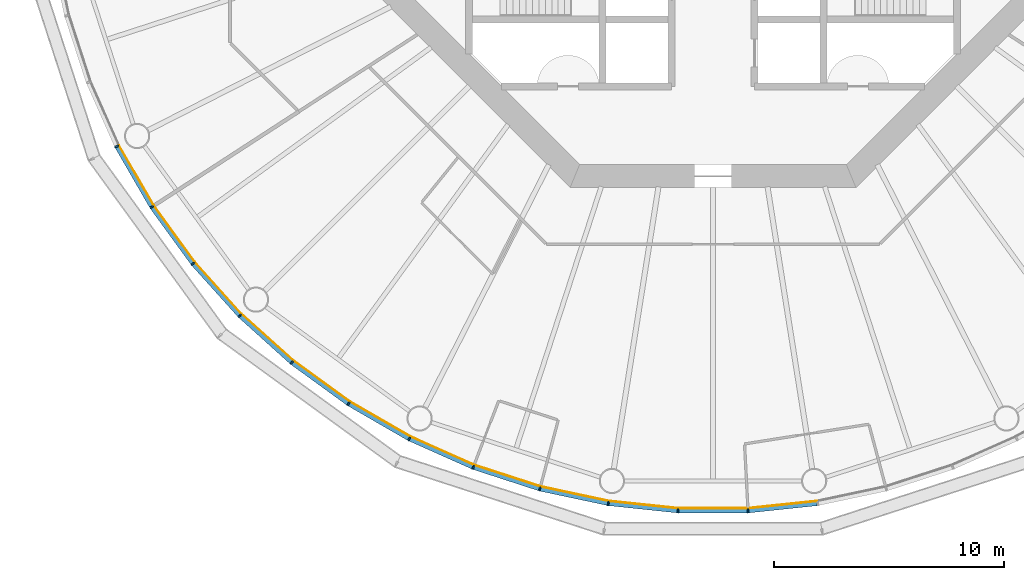
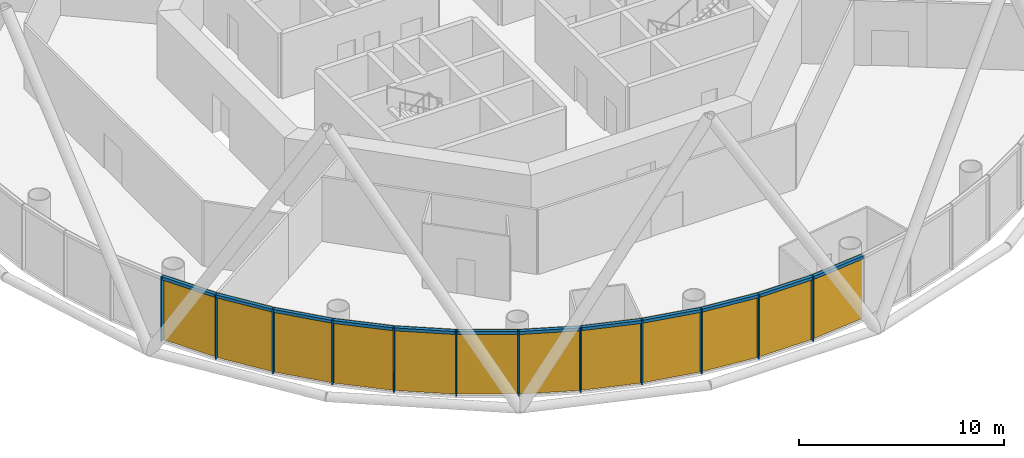
# One storey, part 7 of 13: 24 members, 4 curtain walls.
"""IFC4 building model written with IfcOpenShell, lengths in metres."""

from ifc_helpers import new_model, si_unit, direction, frame, origin, origin_2d, place, context, subcontext, project, spatial, polyline, rectangle, outline, extrude, material, layer, layer_set, material_profile, profile_set, type_object, element, aggregate, save


model = new_model("IFC4")

# Units and contexts
model_context = context("Model", 3, precision=1e-05, world=origin(), true_north=direction((0.0, 1.0)))
body_context = subcontext(model_context, "Body", "Model", "MODEL_VIEW")
ifc_project = project(units=[si_unit("LENGTHUNIT", "METRE"), si_unit("AREAUNIT", "SQUARE_METRE"), si_unit("VOLUMEUNIT", "CUBIC_METRE"), si_unit("PLANEANGLEUNIT", "RADIAN"), si_unit("MASSUNIT", "GRAM", prefix="KILO")], contexts=[model_context])

# Member
ifc_material_1 = material(Name="Anodised aluminium", Category="aluminium")
ifc_material_profile_1 = material_profile(ifc_material_1, rectangle(XDim=0.06494140625, YDim=0.18505859375, at=origin_2d()), Name="Mullion 65 x 185 mm anodised aluminium")
ifc_profile_set_1 = profile_set([ifc_material_profile_1], Name="Anodised aluminium")
member_type_1 = type_object("IfcMemberType", Name="Mullion 65 x 185 mm anodised aluminium", PredefinedType="MULLION", material=ifc_profile_set_1)
site_placement = place(None, origin())
building_placement = place(site_placement, origin())
storey_placement = place(building_placement, frame((0.0, 0.0, 164.0)))
member_1_placement = place(storey_placement, frame((64.078369140625, 66.792236328125, 0.0), z_axis=(0.0, 0.0, 1.0), x_axis=(0.45399049974, -0.891006524188, 0.0)))
member_1 = element("IfcMember", 1, at=member_1_placement, type_object=member_type_1, Name="MULLION L37-33", PredefinedType="MULLION", context=body_context, shape_type="SweptSolid", body=[
    extrude(rectangle(XDim=0.06494140625, YDim=0.18505859375, at=origin_2d()), origin(), (0.0, 0.0, 1.0), 3.85009765625),
])

member_2_placement = place(storey_placement, frame((65.60107421875, 64.155029296875, 0.0), z_axis=(0.0, 0.0, 1.0), x_axis=(0.544639035015, -0.838670567945, 0.0)))
member_2 = element("IfcMember", 2, at=member_2_placement, type_object=member_type_1, Name="MULLION L37-34", PredefinedType="MULLION", context=body_context, shape_type="SweptSolid", body=[
    extrude(rectangle(XDim=0.06494140625, YDim=0.18505859375, at=origin_2d()), origin(), (0.0, 0.0, 1.0), 3.85009765625),
])

member_3_placement = place(storey_placement, frame((67.390869140625, 61.69140625, 0.0), z_axis=(0.0, 0.0, 1.0), x_axis=(0.62932039105, -0.777145961457, 0.0)))
member_3 = element("IfcMember", 3, at=member_3_placement, type_object=member_type_1, Name="MULLION L37-35", PredefinedType="MULLION", context=body_context, shape_type="SweptSolid", body=[
    extrude(rectangle(XDim=0.06494140625, YDim=0.18505859375, at=origin_2d()), origin(), (0.0, 0.0, 1.0), 3.85009765625),
])

member_4_placement = place(storey_placement, frame((69.428466796875, 59.428466796875, 0.0), z_axis=(0.0, 0.0, 1.0), x_axis=(0.707106781187, -0.707106781187, 0.0)))
member_4 = element("IfcMember", 4, at=member_4_placement, type_object=member_type_1, Name="MULLION L37-36", PredefinedType="MULLION", context=body_context, shape_type="SweptSolid", body=[
    extrude(rectangle(XDim=0.06494140625, YDim=0.18505859375, at=origin_2d()), origin(), (0.0, 0.0, 1.0), 3.85009765625),
])

member_5_placement = place(storey_placement, frame((71.69140625, 57.390869140625, 0.0), z_axis=(0.0, 0.0, 1.0), x_axis=(0.777145961457, -0.62932039105, 0.0)))
member_5 = element("IfcMember", 5, at=member_5_placement, type_object=member_type_1, Name="MULLION L37-37", PredefinedType="MULLION", context=body_context, shape_type="SweptSolid", body=[
    extrude(rectangle(XDim=0.06494140625, YDim=0.18505859375, at=origin_2d()), origin(), (0.0, 0.0, 1.0), 3.85009765625),
])

member_6_placement = place(storey_placement, frame((74.155029296875, 55.60107421875, 0.0), z_axis=(0.0, 0.0, 1.0), x_axis=(0.838670567945, -0.544639035015, 0.0)))
member_6 = element("IfcMember", 6, at=member_6_placement, type_object=member_type_1, Name="MULLION L37-38", PredefinedType="MULLION", context=body_context, shape_type="SweptSolid", body=[
    extrude(rectangle(XDim=0.06494140625, YDim=0.18505859375, at=origin_2d()), origin(), (0.0, 0.0, 1.0), 3.85009765625),
])

member_7_placement = place(storey_placement, frame((76.792236328125, 54.078369140625, 0.0), z_axis=(0.0, 0.0, 1.0), x_axis=(0.891006524188, -0.45399049974, 0.0)))
member_7 = element("IfcMember", 7, at=member_7_placement, type_object=member_type_1, Name="MULLION L37-39", PredefinedType="MULLION", context=body_context, shape_type="SweptSolid", body=[
    extrude(rectangle(XDim=0.06494140625, YDim=0.18505859375, at=origin_2d()), origin(), (0.0, 0.0, 1.0), 3.85009765625),
])

member_8_placement = place(storey_placement, frame((79.57421875, 52.83984375, 0.0), z_axis=(0.0, 0.0, 1.0), x_axis=(0.933580426497, -0.358367949545, 0.0)))
member_8 = element("IfcMember", 8, at=member_8_placement, type_object=member_type_1, Name="MULLION L37-40", PredefinedType="MULLION", context=body_context, shape_type="SweptSolid", body=[
    extrude(rectangle(XDim=0.06494140625, YDim=0.18505859375, at=origin_2d()), origin(), (0.0, 0.0, 1.0), 3.85009765625),
])

member_9_placement = place(storey_placement, frame((82.47021484375, 51.898681640625, 0.0), z_axis=(0.0, 0.0, 1.0), x_axis=(0.965925826289, -0.258819045103, 0.0)))
member_9 = element("IfcMember", 9, at=member_9_placement, type_object=member_type_1, Name="MULLION L37-41", PredefinedType="MULLION", context=body_context, shape_type="SweptSolid", body=[
    extrude(rectangle(XDim=0.06494140625, YDim=0.18505859375, at=origin_2d()), origin(), (0.0, 0.0, 1.0), 3.85009765625),
])

member_10_placement = place(storey_placement, frame((85.448974609375, 51.265625, 0.0), z_axis=(0.0, 0.0, 1.0), x_axis=(0.987688340595, -0.15643446504, 0.0)))
member_10 = element("IfcMember", 10, at=member_10_placement, type_object=member_type_1, Name="MULLION L37-42", PredefinedType="MULLION", context=body_context, shape_type="SweptSolid", body=[
    extrude(rectangle(XDim=0.06494140625, YDim=0.18505859375, at=origin_2d()), origin(), (0.0, 0.0, 1.0), 3.85009765625),
])

member_11_placement = place(storey_placement, frame((88.477294921875, 50.947265625, 0.0), z_axis=(0.0, 0.0, 1.0), x_axis=(0.998629534755, -0.052335956243, 0.0)))
member_11 = element("IfcMember", 11, at=member_11_placement, type_object=member_type_1, Name="MULLION L37-43", PredefinedType="MULLION", context=body_context, shape_type="SweptSolid", body=[
    extrude(rectangle(XDim=0.06494140625, YDim=0.18505859375, at=origin_2d()), origin(), (0.0, 0.0, 1.0), 3.85009765625),
])

member_12_placement = place(storey_placement, frame((91.522705078125, 50.947265625, 0.0), z_axis=(0.0, 0.0, 1.0), x_axis=(0.998629534755, 0.052335956243, 0.0)))
member_12 = element("IfcMember", 12, at=member_12_placement, type_object=member_type_1, Name="MULLION L37-44", PredefinedType="MULLION", context=body_context, shape_type="SweptSolid", body=[
    extrude(rectangle(XDim=0.06494140625, YDim=0.18505859375, at=origin_2d()), origin(), (0.0, 0.0, 1.0), 3.85009765625),
])

ifc_material_2 = material(Name="Anodised aluminium", Category="aluminium")
ifc_material_profile_2 = material_profile(ifc_material_2, rectangle(XDim=0.18505859375, YDim=0.175048828125, at=origin_2d()), Name="Transom 175 x 185 mm anodised aluminium")
ifc_profile_set_2 = profile_set([ifc_material_profile_2], Name="Anodised aluminium")
member_type_2 = type_object("IfcMemberType", Name="Transom 175 x 185 mm anodised aluminium", PredefinedType="USERDEFINED", material=ifc_profile_set_2)
member_13_placement = place(storey_placement, frame((64.096923828125, 66.759765625, 3.762451171875), z_axis=(0.500028367561, -0.866009025146, 0.0), x_axis=(0.866009025146, 0.500028367561, 0.0)))
member_13 = element("IfcMember", 13, at=member_13_placement, type_object=member_type_2, Name="TRANSOM L37-33", ObjectType="TRANSOM", PredefinedType="USERDEFINED", context=body_context, shape_type="SweptSolid", body=[
    extrude(rectangle(XDim=0.18505859375, YDim=0.175048828125, at=origin_2d()), origin(), (0.0, 0.0, 1.0), 2.970458984375),
])

member_14_placement = place(storey_placement, frame((65.622802734375, 64.124755859375, 3.762451171875), z_axis=(0.587819781808, -0.808991906087, 0.0), x_axis=(0.808991906087, 0.587819781808, 0.0)))
member_14 = element("IfcMember", 14, at=member_14_placement, type_object=member_type_2, Name="TRANSOM L37-34", ObjectType="TRANSOM", PredefinedType="USERDEFINED", context=body_context, shape_type="SweptSolid", body=[
    extrude(rectangle(XDim=0.18505859375, YDim=0.175048828125, at=origin_2d()), origin(), (0.0, 0.0, 1.0), 2.970458984375),
])

member_15_placement = place(storey_placement, frame((67.415771484375, 61.66357421875, 3.762451171875), z_axis=(0.669110027395, -0.743163354343, 0.0), x_axis=(0.743163354343, 0.669110027395, 0.0)))
member_15 = element("IfcMember", 15, at=member_15_placement, type_object=member_type_2, Name="TRANSOM L37-35", ObjectType="TRANSOM", PredefinedType="USERDEFINED", context=body_context, shape_type="SweptSolid", body=[
    extrude(rectangle(XDim=0.18505859375, YDim=0.175048828125, at=origin_2d()), origin(), (0.0, 0.0, 1.0), 2.970458984375),
])

member_16_placement = place(storey_placement, frame((69.4560546875, 59.4033203125, 3.762451171875), z_axis=(0.743163354343, -0.669110027395, 0.0), x_axis=(0.669110027395, 0.743163354343, 0.0)))
member_16 = element("IfcMember", 16, at=member_16_placement, type_object=member_type_2, Name="TRANSOM L37-36", ObjectType="TRANSOM", PredefinedType="USERDEFINED", context=body_context, shape_type="SweptSolid", body=[
    extrude(rectangle(XDim=0.18505859375, YDim=0.175048828125, at=origin_2d()), origin(), (0.0, 0.0, 1.0), 2.970458984375),
])

member_17_placement = place(storey_placement, frame((71.7216796875, 57.368896484375, 3.762451171875), z_axis=(0.808991906087, -0.587819781808, 0.0), x_axis=(0.587819781808, 0.808991906087, 0.0)))
member_17 = element("IfcMember", 17, at=member_17_placement, type_object=member_type_2, Name="TRANSOM L37-37", ObjectType="TRANSOM", PredefinedType="USERDEFINED", context=body_context, shape_type="SweptSolid", body=[
    extrude(rectangle(XDim=0.18505859375, YDim=0.175048828125, at=origin_2d()), origin(), (0.0, 0.0, 1.0), 2.970458984375),
])

member_18_placement = place(storey_placement, frame((74.187255859375, 55.582275390625, 3.762451171875), z_axis=(0.866009025146, -0.500028367561, 0.0), x_axis=(0.500028367561, 0.866009025146, 0.0)))
member_18 = element("IfcMember", 18, at=member_18_placement, type_object=member_type_2, Name="TRANSOM L37-38", ObjectType="TRANSOM", PredefinedType="USERDEFINED", context=body_context, shape_type="SweptSolid", body=[
    extrude(rectangle(XDim=0.18505859375, YDim=0.175048828125, at=origin_2d()), origin(), (0.0, 0.0, 1.0), 2.970458984375),
])

member_19_placement = place(storey_placement, frame((76.826416015625, 54.06298828125, 3.762451171875), z_axis=(0.913567348806, -0.406687471156, 0.0), x_axis=(0.406687471156, 0.913567348806, 0.0)))
member_19 = element("IfcMember", 19, at=member_19_placement, type_object=member_type_2, Name="TRANSOM L37-39", ObjectType="TRANSOM", PredefinedType="USERDEFINED", context=body_context, shape_type="SweptSolid", body=[
    extrude(rectangle(XDim=0.18505859375, YDim=0.175048828125, at=origin_2d()), origin(), (0.0, 0.0, 1.0), 2.970458984375),
])

member_20_placement = place(storey_placement, frame((79.609619140625, 52.828125, 3.762451171875), z_axis=(0.951055809184, -0.30901917063, 0.0), x_axis=(0.30901917063, 0.951055809184, 0.0)))
member_20 = element("IfcMember", 20, at=member_20_placement, type_object=member_type_2, Name="TRANSOM L37-40", ObjectType="TRANSOM", PredefinedType="USERDEFINED", context=body_context, shape_type="SweptSolid", body=[
    extrude(rectangle(XDim=0.18505859375, YDim=0.175048828125, at=origin_2d()), origin(), (0.0, 0.0, 1.0), 2.970703125),
])

member_21_placement = place(storey_placement, frame((82.5068359375, 51.890869140625, 3.762451171875), z_axis=(0.97815822425, -0.207861704825, 0.0), x_axis=(0.207861704825, 0.97815822425, 0.0)))
member_21 = element("IfcMember", 21, at=member_21_placement, type_object=member_type_2, Name="TRANSOM L37-41", ObjectType="TRANSOM", PredefinedType="USERDEFINED", context=body_context, shape_type="SweptSolid", body=[
    extrude(rectangle(XDim=0.18505859375, YDim=0.175048828125, at=origin_2d()), origin(), (0.0, 0.0, 1.0), 2.970458984375),
])

member_22_placement = place(storey_placement, frame((85.486083984375, 51.26171875, 3.762451171875), z_axis=(0.994519855197, -0.104547872381, 0.0), x_axis=(0.104547872381, 0.994519855197, 0.0)))
member_22 = element("IfcMember", 22, at=member_22_placement, type_object=member_type_2, Name="TRANSOM L37-42", ObjectType="TRANSOM", PredefinedType="USERDEFINED", context=body_context, shape_type="SweptSolid", body=[
    extrude(rectangle(XDim=0.18505859375, YDim=0.175048828125, at=origin_2d()), origin(), (0.0, 0.0, 1.0), 2.970458984375),
])

member_23_placement = place(storey_placement, frame((88.5146484375, 50.947265625, 3.762451171875), z_axis=(1.0, 0.0, 0.0), x_axis=(0.0, 1.0, 0.0)))
member_23 = element("IfcMember", 23, at=member_23_placement, type_object=member_type_2, Name="TRANSOM L37-43", ObjectType="TRANSOM", PredefinedType="USERDEFINED", context=body_context, shape_type="SweptSolid", body=[
    extrude(rectangle(XDim=0.18505859375, YDim=0.175048828125, at=origin_2d()), origin(), (0.0, 0.0, 1.0), 2.970703125),
])

member_24_placement = place(storey_placement, frame((91.559814453125, 50.951171875, 3.762451171875), z_axis=(0.994519855197, 0.104547872381, 0.0), x_axis=(-0.104547872381, 0.994519855197, 0.0)))
member_24 = element("IfcMember", 24, at=member_24_placement, type_object=member_type_2, Name="TRANSOM L37-44", ObjectType="TRANSOM", PredefinedType="USERDEFINED", context=body_context, shape_type="SweptSolid", body=[
    extrude(rectangle(XDim=0.18505859375, YDim=0.175048828125, at=origin_2d()), origin(), (0.0, 0.0, 1.0), 2.970458984375),
])

# Site, building, storey
site = spatial("IfcSite", under=ifc_project, at=site_placement, CompositionType="ELEMENT")
building = spatial("IfcBuilding", under=site, at=building_placement, Name="Entoto Ring Tower", CompositionType="ELEMENT")
storey = spatial("IfcBuildingStorey", under=building, at=storey_placement, Name="L37", CompositionType="ELEMENT", Elevation=164.0)

# Curtain wall
ifc_material_3 = material(Name="Clear low-iron glass", Category="glass")
ifc_layer = layer(ifc_material_3, 0.033935546875)
ifc_layer_set = layer_set([ifc_layer], Name="Clear low-iron glass")
curtain_wall_type = type_object("IfcCurtainWallType", Name="Curtain wall system CW3 glazing 34 mm", PredefinedType="NOTDEFINED", material=ifc_layer_set)
curtain_wall_1_placement = place(storey_placement, origin())
curtain_wall_1 = element("IfcCurtainWall", 25, at=curtain_wall_1_placement, inside=storey, type_object=curtain_wall_type, Name="CW3 L37-12", PredefinedType="NOTDEFINED", context=body_context, shape_type="SweptSolid", body=[
    extrude(outline(polyline([(64.160888671875, 66.834228515625), (65.678466796875, 64.20556640625), (67.462646484375, 61.749755859375), (69.493896484375, 59.493896484375), (69.51806640625, 59.51806640625), (67.4892578125, 61.771240234375), (65.70703125, 64.22412109375), (64.191162109375, 66.849853515625), (64.160888671875, 66.834228515625)])), origin(), (0.0, 0.0, 1.0), 3.85009765625),
])

aggregate(curtain_wall_1, [member_1, member_2, member_3, member_13, member_14, member_15])

curtain_wall_2_placement = place(storey_placement, origin())
curtain_wall_2 = element("IfcCurtainWall", 26, at=curtain_wall_2_placement, inside=storey, type_object=curtain_wall_type, Name="CW3 L37-13", PredefinedType="NOTDEFINED", context=body_context, shape_type="SweptSolid", body=[
    extrude(outline(polyline([(69.493896484375, 59.493896484375), (71.749755859375, 57.462646484375), (74.20556640625, 55.678466796875), (76.834228515625, 54.160888671875), (76.849853515625, 54.191162109375), (74.22412109375, 55.70703125), (71.771240234375, 57.4892578125), (69.51806640625, 59.51806640625), (69.493896484375, 59.493896484375)])), origin(), (0.0, 0.0, 1.0), 3.85009765625),
])

aggregate(curtain_wall_2, [member_4, member_5, member_6, member_16, member_17, member_18])

curtain_wall_3_placement = place(storey_placement, origin())
curtain_wall_3 = element("IfcCurtainWall", 27, at=curtain_wall_3_placement, inside=storey, type_object=curtain_wall_type, Name="CW3 L37-14", PredefinedType="NOTDEFINED", context=body_context, shape_type="SweptSolid", body=[
    extrude(outline(polyline([(76.834228515625, 54.160888671875), (79.607421875, 52.92626953125), (82.494140625, 51.988037109375), (85.46337890625, 51.35693359375), (85.46875, 51.390625), (82.503173828125, 52.02099609375), (79.61962890625, 52.9580078125), (76.849853515625, 54.191162109375), (76.834228515625, 54.160888671875)])), origin(), (0.0, 0.0, 1.0), 3.85009765625),
])

aggregate(curtain_wall_3, [member_7, member_8, member_9, member_19, member_20, member_21])

curtain_wall_4_placement = place(storey_placement, origin())
curtain_wall_4 = element("IfcCurtainWall", 28, at=curtain_wall_4_placement, inside=storey, type_object=curtain_wall_type, Name="CW3 L37-15", PredefinedType="NOTDEFINED", context=body_context, shape_type="SweptSolid", body=[
    extrude(outline(polyline([(85.46337890625, 51.35693359375), (88.482177734375, 51.039794921875), (91.517822265625, 51.039794921875), (94.53662109375, 51.35693359375), (94.53125, 51.390625), (91.515869140625, 51.07373046875), (88.484130859375, 51.07373046875), (85.46875, 51.390625), (85.46337890625, 51.35693359375)])), origin(), (0.0, 0.0, 1.0), 3.85009765625),
])

aggregate(curtain_wall_4, [member_10, member_11, member_12, member_22, member_23, member_24])

save(model, "model.ifc")
